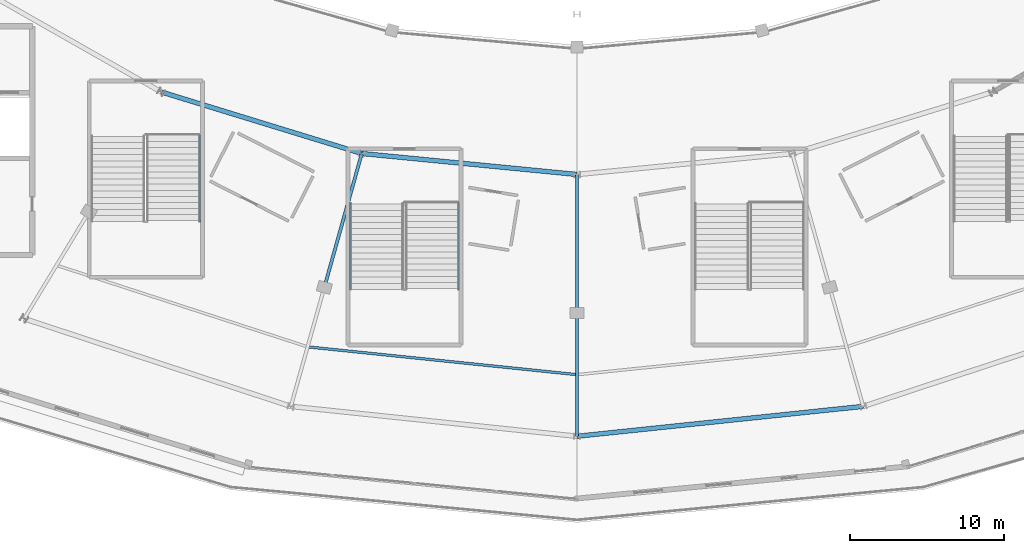
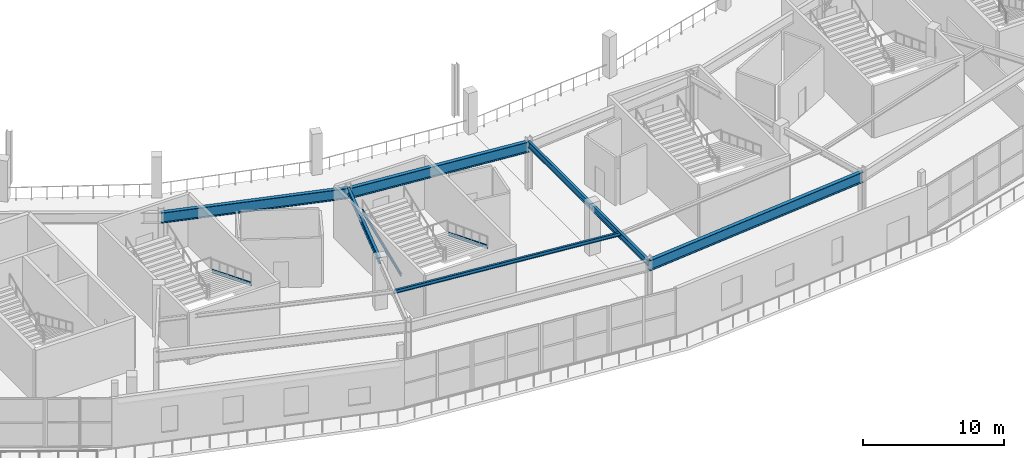
# One storey, part 33 of 123: 7 beams, 3 members.
"""IFC4 building model written with IfcOpenShell, lengths in metres."""

from ifc_helpers import new_model, si_unit, direction, frame, origin, origin_2d, place, context, subcontext, project, spatial, i_section, extrude, material, material_profile, profile_set, type_object, element, save


model = new_model("IFC4")

# Units and contexts
model_context = context("Model", 3, precision=1e-05, world=origin(), true_north=direction((0.0, 1.0)))
body_context = subcontext(model_context, "Body", "Model", "MODEL_VIEW")
ifc_project = project(units=[si_unit("LENGTHUNIT", "METRE"), si_unit("AREAUNIT", "SQUARE_METRE"), si_unit("VOLUMEUNIT", "CUBIC_METRE"), si_unit("PLANEANGLEUNIT", "RADIAN"), si_unit("MASSUNIT", "GRAM", prefix="KILO")], contexts=[model_context])

# Site, building, storey
site_placement = place(None, origin())
site = spatial("IfcSite", under=ifc_project, at=site_placement, CompositionType="ELEMENT")
building_placement = place(site_placement, origin())
building = spatial("IfcBuilding", under=site, at=building_placement, Name="Kalgoora Escarpment Arena", CompositionType="ELEMENT")
storey_placement = place(building_placement, frame((0.0, 0.0, 9.89990234375)))
storey = spatial("IfcBuildingStorey", under=building, at=storey_placement, Name="L02", CompositionType="ELEMENT", Elevation=9.89990234375)

# Beams
ifc_material_1 = material(Name="Structural steel AS/NZS 3679 (300 MPa)", Category="steel")
ifc_material_profile_1 = material_profile(ifc_material_1, i_section(OverallWidth=0.166015625, OverallDepth=0.306884765625, WebThickness=0.006591796875, FlangeThickness=0.01171875, at=origin_2d()))
ifc_profile_set_1 = profile_set([ifc_material_profile_1], Name="Structural steel AS/NZS 3679 (300 MPa)")
beam_type_1 = type_object("IfcBeamType", Name="BM-BEAM-310UB46.2", PredefinedType="BEAM", material=ifc_profile_set_1)
beam_1_placement = place(storey_placement, frame((74.90380859375, 12.805908203125, 4.026611328125), z_axis=(0.994715233773, -0.102672312238, 0.0), x_axis=(0.102672312238, 0.994715233773, 0.0)))
element("IfcBeam", 1, at=beam_1_placement, inside=storey, type_object=beam_type_1, Name="L02 Concourse secondary ring beam 310UB46.2", PredefinedType="BEAM", context=body_context, shape_type="SweptSolid", body=[
    extrude(i_section(OverallWidth=0.166015625, OverallDepth=0.306884765625, WebThickness=0.006591796875, FlangeThickness=0.01171875, at=origin_2d()), origin(), (0.0, 0.0, 1.0), 17.589111328125),
])
ifc_material_2 = material(Name="Structural steel AS/NZS 3679 (300 MPa)", Category="steel")
ifc_material_profile_2 = material_profile(ifc_material_2, i_section(OverallWidth=0.208984375, OverallDepth=0.528076171875, WebThickness=0.009521484375, FlangeThickness=0.01318359375, at=origin_2d()))
ifc_profile_set_2 = profile_set([ifc_material_profile_2], Name="Structural steel AS/NZS 3679 (300 MPa)")
beam_type_2 = type_object("IfcBeamType", Name="BM-GIRDER-530UB82.0", PredefinedType="USERDEFINED", material=ifc_profile_set_2)
beam_2_placement = place(storey_placement, frame((78.423828125, 25.363037109375, 3.9560546875), z_axis=(-0.269498512386, -0.963000805722, 0.0), x_axis=(0.963000805722, -0.269498512386, 0.0)))
element("IfcBeam", 2, at=beam_2_placement, inside=storey, type_object=beam_type_2, Name="L02 Radial concourse girder 530UB82.0", ObjectType="GIRDER", PredefinedType="USERDEFINED", context=body_context, shape_type="SweptSolid", body=[
    extrude(i_section(OverallWidth=0.208984375, OverallDepth=0.528076171875, WebThickness=0.009521484375, FlangeThickness=0.01318359375, at=origin_2d()), origin(), (0.0, 0.0, 1.0), 9.02734375),
])
beam_3_placement = place(storey_placement, frame((92.39990234375, 24.0, 3.916015625), z_axis=(0.0, -1.0, 0.0), x_axis=(1.0, 0.0, 0.0)))
element("IfcBeam", 3, at=beam_3_placement, inside=storey, type_object=beam_type_2, Name="L02 Radial concourse girder 530UB82.0", ObjectType="GIRDER", PredefinedType="USERDEFINED", context=body_context, shape_type="SweptSolid", body=[
    extrude(i_section(OverallWidth=0.208984375, OverallDepth=0.528076171875, WebThickness=0.009521484375, FlangeThickness=0.01318359375, at=origin_2d()), origin(), (0.0, 0.0, 1.0), 9.0),
])
beam_4_placement = place(storey_placement, frame((92.39990234375, 15.0, 3.916015625), z_axis=(0.0, -1.0, 0.0), x_axis=(1.0, 0.0, 0.0)))
element("IfcBeam", 4, at=beam_4_placement, inside=storey, type_object=beam_type_2, Name="L02 Radial concourse girder 530UB82.0", ObjectType="GIRDER", PredefinedType="USERDEFINED", context=body_context, shape_type="SweptSolid", body=[
    extrude(i_section(OverallWidth=0.208984375, OverallDepth=0.528076171875, WebThickness=0.009521484375, FlangeThickness=0.01318359375, at=origin_2d()), origin(), (0.0, 0.0, 1.0), 8.0),
])
ifc_material_3 = material(Name="Structural steel Grade 350 (350 MPa)", Category="steel")
ifc_material_profile_3 = material_profile(ifc_material_3, i_section(OverallWidth=0.300048828125, OverallDepth=0.909912109375, WebThickness=0.011962890625, FlangeThickness=0.028076171875, at=origin_2d()))
ifc_profile_set_3 = profile_set([ifc_material_profile_3], Name="Structural steel Grade 350 (350 MPa)")
beam_type_3 = type_object("IfcBeamType", Name="BM-GIRDER-900WB218", PredefinedType="USERDEFINED", material=ifc_profile_set_3)
beam_5_placement = place(storey_placement, frame((65.39990234375, 29.35888671875, 3.76513671875), z_axis=(0.956016223512, -0.293313791666, 0.0), x_axis=(0.293313791666, 0.956016223512, 0.0)))
element("IfcBeam", 5, at=beam_5_placement, inside=storey, type_object=beam_type_3, Name="L02 Circumferential concourse girder RMAIN 900WB218", ObjectType="GIRDER", PredefinedType="USERDEFINED", context=body_context, shape_type="SweptSolid", body=[
    extrude(i_section(OverallWidth=0.300048828125, OverallDepth=0.909912109375, WebThickness=0.011962890625, FlangeThickness=0.028076171875, at=origin_2d()), origin(), (0.0, 0.0, 1.0), 13.623046875),
])
beam_6_placement = place(storey_placement, frame((78.423828125, 25.363037109375, 3.72509765625), z_axis=(0.995277952766, -0.097065940158, 0.0), x_axis=(0.097065940158, 0.995277952766, 0.0)))
element("IfcBeam", 6, at=beam_6_placement, inside=storey, type_object=beam_type_3, Name="L02 Circumferential concourse girder RMAIN 900WB218", ObjectType="GIRDER", PredefinedType="USERDEFINED", context=body_context, shape_type="SweptSolid", body=[
    extrude(i_section(OverallWidth=0.300048828125, OverallDepth=0.909912109375, WebThickness=0.011962890625, FlangeThickness=0.028076171875, at=origin_2d()), origin(), (0.0, 0.0, 1.0), 14.04248046875),
])
ifc_material_4 = material(Name="Structural steel Grade 350 (350 MPa)", Category="steel")
ifc_material_profile_4 = material_profile(ifc_material_4, i_section(OverallWidth=0.300048828125, OverallDepth=0.909912109375, WebThickness=0.011962890625, FlangeThickness=0.028076171875, at=origin_2d()))
ifc_profile_set_4 = profile_set([ifc_material_profile_4], Name="Structural steel Grade 350 (350 MPa)")
beam_type_4 = type_object("IfcBeamType", Name="BM-SPANDREL-900WB218", PredefinedType="SPANDREL", material=ifc_profile_set_4)
beam_7_placement = place(storey_placement, frame((92.39990234375, 7.0, 3.72509765625), z_axis=(0.994583146525, 0.103944045753, 0.0), x_axis=(-0.103944045753, 0.994583146525, 0.0)))
element("IfcBeam", 7, at=beam_7_placement, inside=storey, type_object=beam_type_4, Name="L02 Circumferential concourse girder RCONC2 900WB218", PredefinedType="SPANDREL", context=body_context, shape_type="SweptSolid", body=[
    extrude(i_section(OverallWidth=0.300048828125, OverallDepth=0.909912109375, WebThickness=0.011962890625, FlangeThickness=0.028076171875, at=origin_2d()), origin(), (0.0, 0.0, 1.0), 18.6845703125),
])

# Members
ifc_material_5 = material(Name="Structural steel AS/NZS 3679 (300 MPa)", Category="steel")
ifc_material_profile_5 = material_profile(ifc_material_5, i_section(OverallWidth=0.090087890625, OverallDepth=0.300048828125, WebThickness=0.008056640625, FlangeThickness=0.01611328125, at=origin_2d()))
ifc_profile_set_5 = profile_set([ifc_material_profile_5], Name="Structural steel AS/NZS 3679 (300 MPa)")
member_type = type_object("IfcMemberType", Name="MEM-STRINGER-PFC", PredefinedType="STRINGER", material=ifc_profile_set_5)
for number, where, z_axis, x_axis, name in (
    (8, (67.929931640625, 26.510009765625, -0.039794921875), (0.0, -0.926975796404, 0.375121144273), (1.0, 0.0, 0.0), "ST13 L02 steel stair stringer 1"),
    (9, (84.72998046875, 22.110107421875, -0.039794921875), (0.0, -0.926975796404, 0.375121144273), (1.0, 0.0, 0.0), "ST14 L02 steel stair stringer 1"),
    (10, (77.669921875, 16.550048828125, 2.210205078125), (0.0, 0.926975796404, 0.375121144273), (-1.0, 0.0, 0.0), "ST14 L02 steel stair stringer 2"),
):
    element("IfcMember", number, at=place(storey_placement, frame(where, z_axis=z_axis, x_axis=x_axis)), inside=storey, type_object=member_type, Name=name, PredefinedType="STRINGER", context=body_context, shape_type="SweptSolid", body=[
        extrude(i_section(OverallWidth=0.090087890625, OverallDepth=0.300048828125, WebThickness=0.008056640625, FlangeThickness=0.01611328125, at=origin_2d()), origin(), (0.0, 0.0, 1.0), 5.998046875),
    ])

save(model, "model.ifc")
